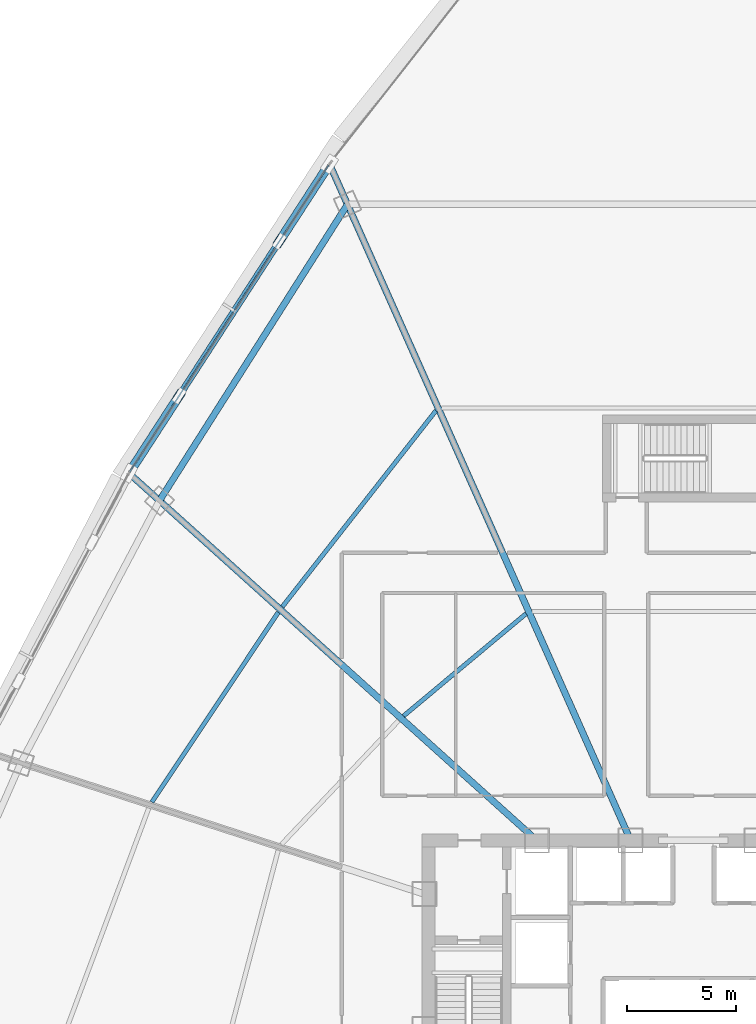
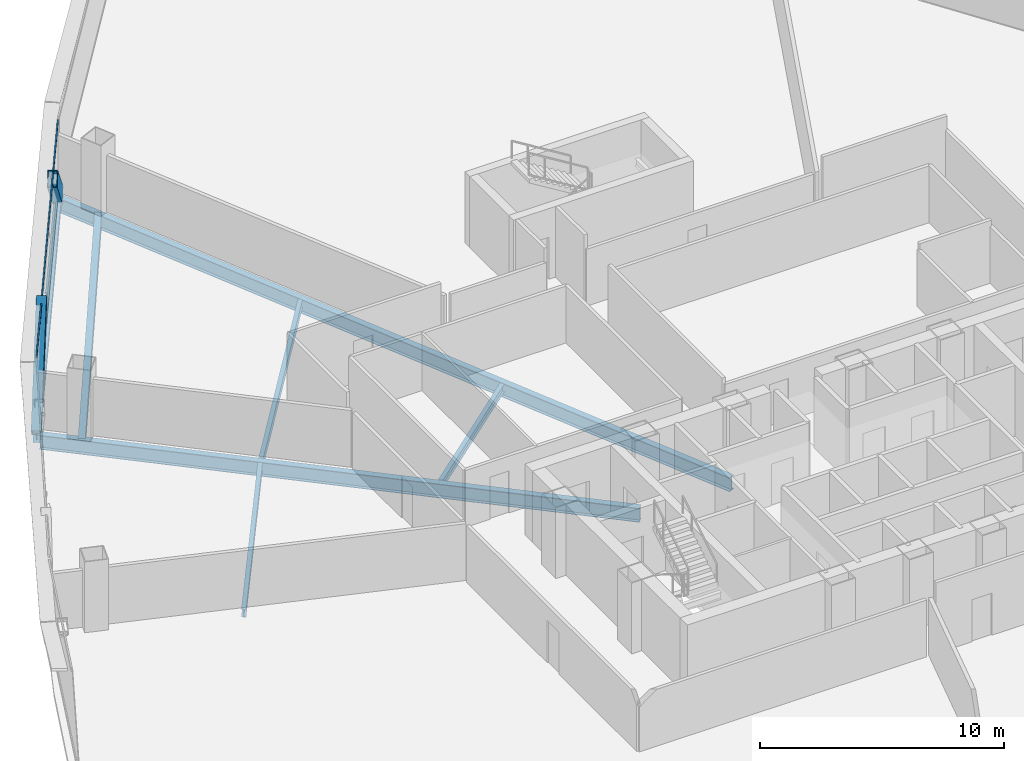
# One storey, part 15 of 39: 7 beams, 4 members, 1 element without a shape of its own.
"""IFC4 building model written with IfcOpenShell, lengths in metres."""

from ifc_helpers import new_model, si_unit, direction, frame, origin, origin_2d, place, context, subcontext, project, spatial, hollow_rectangle, i_section, extrude, source, transform, mapped, material, layer, layer_set, material_profile, profile_set, type_object, element, aggregate, save


model = new_model("IFC4")

# Units and contexts
model_context = context("Model", 3, precision=1e-05, world=origin(), true_north=direction((0.0, 1.0)))
body_context = subcontext(model_context, "Body", "Model", "MODEL_VIEW")
ifc_project = project(units=[si_unit("LENGTHUNIT", "METRE"), si_unit("AREAUNIT", "SQUARE_METRE"), si_unit("VOLUMEUNIT", "CUBIC_METRE"), si_unit("PLANEANGLEUNIT", "RADIAN"), si_unit("MASSUNIT", "GRAM", prefix="KILO"), si_unit("THERMODYNAMICTEMPERATUREUNIT", "KELVIN"), si_unit("POWERUNIT", "WATT")], contexts=[model_context])

# Site, building, storey
site_placement = place(None, origin())
site = spatial("IfcSite", under=ifc_project, at=site_placement, CompositionType="ELEMENT")
building_placement = place(site_placement, origin())
building = spatial("IfcBuilding", under=site, at=building_placement, Name="Yunzhuo Pagoda Commons", CompositionType="ELEMENT")
storey_placement = place(building_placement, frame((0.0, 0.0, 96.3798828125)))
storey = spatial("IfcBuildingStorey", under=building, at=storey_placement, Name="L24", CompositionType="ELEMENT", Elevation=96.3798828125)

# Beams
ifc_material_1 = material(Name="Structural steel Q355B", Category="steel")
ifc_material_profile_1 = material_profile(ifc_material_1, i_section(OverallWidth=0.300048828125, OverallDepth=0.699951171875, WebThickness=0.012939453125, FlangeThickness=0.02392578125, at=origin_2d()), Name="Structural steel Q355B")
ifc_profile_set_1 = profile_set([ifc_material_profile_1], Name="Structural steel Q355B")
beam_type_1 = type_object("IfcBeamType", Name="B-RG1 Beam HN 700x300x13x24", PredefinedType="BEAM", material=ifc_profile_set_1)
shared_shape_1 = source(origin(), body_context, "Body", "SweptSolid", [
    extrude(i_section(OverallWidth=0.300048828125, OverallDepth=0.699951171875, WebThickness=0.012939453125, FlangeThickness=0.02392578125, at=origin_2d()), origin(), (0.0, 0.0, 1.0), 16.16845703125),
])
beam_1_placement = place(storey_placement, frame((32.05859375, 69.505126953125, -0.609619140625), z_axis=(-0.535695673154, -0.844411123662, 0.0), x_axis=(0.844411123662, -0.535695673154, 0.0)))
element("IfcBeam", 1, at=beam_1_placement, inside=storey, type_object=beam_type_1, Name="L24 column-ring beam 9", PredefinedType="BEAM", context=body_context, shape_type="MappedRepresentation", body=[
    mapped(shared_shape_1, transform((0.0, 0.0, 0.0), scale=1.0)),
])
ifc_material_profile_2 = material_profile(ifc_material_1, i_section(OverallWidth=0.199951171875, OverallDepth=0.39990234375, WebThickness=0.008056640625, FlangeThickness=0.012939453125, at=origin_2d()), Name="Structural steel Q355B")
ifc_profile_set_2 = profile_set([ifc_material_profile_2], Name="Structural steel Q355B")
beam_type_2 = type_object("IfcBeamType", Name="B-JS1 Joist HN 400x200x8x13", PredefinedType="JOIST", material=ifc_profile_set_2)
shared_shape_2 = source(origin(), body_context, "Body", "SweptSolid", [
    extrude(i_section(OverallWidth=0.199951171875, OverallDepth=0.39990234375, WebThickness=0.008056640625, FlangeThickness=0.012939453125, at=origin_2d()), origin(), (0.0, 0.0, 1.0), 10.50537109375),
])
beam_2_placement = place(storey_placement, frame((28.871826171875, 50.711181640625, -0.4599609375), z_axis=(-0.554523204193, -0.832168261839, 0.0), x_axis=(0.832168261839, -0.554523204193, 0.0)))
element("IfcBeam", 2, at=beam_2_placement, inside=storey, type_object=beam_type_2, Name="L24 composite ring joist 2.10", PredefinedType="JOIST", context=body_context, shape_type="MappedRepresentation", body=[
    mapped(shared_shape_2, transform((0.0, 0.0, 0.0), scale=1.0)),
])
shared_shape_3 = source(origin(), body_context, "Body", "SweptSolid", [
    extrude(i_section(OverallWidth=0.199951171875, OverallDepth=0.39990234375, WebThickness=0.008056640625, FlangeThickness=0.012939453125, at=origin_2d()), origin(), (0.0, 0.0, 1.0), 7.35009765625),
])
beam_3_placement = place(storey_placement, frame((40.286865234375, 50.64794921875, -0.4599609375), z_axis=(-0.767561992249, -0.640974717173, 0.0), x_axis=(0.640974717173, -0.767561992249, 0.0)))
element("IfcBeam", 3, at=beam_3_placement, inside=storey, type_object=beam_type_2, Name="L24 composite ring joist 1.9", PredefinedType="JOIST", context=body_context, shape_type="MappedRepresentation", body=[
    mapped(shared_shape_3, transform((0.0, 0.0, 0.0), scale=1.0)),
])
shared_shape_4 = source(origin(), body_context, "Body", "SweptSolid", [
    extrude(i_section(OverallWidth=0.199951171875, OverallDepth=0.39990234375, WebThickness=0.008056640625, FlangeThickness=0.012939453125, at=origin_2d()), origin(), (0.0, 0.0, 1.0), 11.4755859375),
])
beam_4_placement = place(storey_placement, frame((36.135498046875, 60.002197265625, -0.4599609375), z_axis=(-0.616713174055, -0.787187945123, 0.0), x_axis=(0.787187945123, -0.616713174055, 0.0)))
element("IfcBeam", 4, at=beam_4_placement, inside=storey, type_object=beam_type_2, Name="L24 composite ring joist 2.9", PredefinedType="JOIST", context=body_context, shape_type="MappedRepresentation", body=[
    mapped(shared_shape_4, transform((0.0, 0.0, 0.0), scale=1.0)),
])
shared_shape_5 = source(origin(), body_context, "Body", "SweptSolid", [
    extrude(i_section(OverallWidth=0.300048828125, OverallDepth=0.699951171875, WebThickness=0.012939453125, FlangeThickness=0.02392578125, at=origin_2d()), origin(), (0.0, 0.0, 1.0), 25.1318359375),
])
beam_5_placement = place(storey_placement, frame((22.1044921875, 57.016357421875, -0.609619140625), z_axis=(0.743144868879, -0.669130558156, 0.0), x_axis=(0.669130558156, 0.743144868879, 0.0)))
element("IfcBeam", 5, at=beam_5_placement, inside=storey, type_object=beam_type_1, Name="L24 radial floor girder F3C2", PredefinedType="BEAM", context=body_context, shape_type="MappedRepresentation", body=[
    mapped(shared_shape_5, transform((0.0, 0.0, 0.0), scale=1.0)),
])
shared_shape_6 = source(origin(), body_context, "Body", "SweptSolid", [
    extrude(i_section(OverallWidth=0.300048828125, OverallDepth=0.699951171875, WebThickness=0.012939453125, FlangeThickness=0.02392578125, at=origin_2d()), origin(), (0.0, 0.0, 1.0), 33.961181640625),
])
beam_6_placement = place(storey_placement, frame((31.292724609375, 71.22509765625, -0.609619140625), z_axis=(0.406735346576, -0.91354603488, 0.0), x_axis=(0.91354603488, 0.406735346576, 0.0)))
element("IfcBeam", 6, at=beam_6_placement, inside=storey, type_object=beam_type_1, Name="L24 radial floor girder F3C1", PredefinedType="BEAM", context=body_context, shape_type="MappedRepresentation", body=[
    mapped(shared_shape_6, transform((0.0, 0.0, 0.0), scale=1.0)),
])
ifc_material_profile_3 = material_profile(ifc_material_1, i_section(OverallWidth=0.300048828125, OverallDepth=0.488037109375, WebThickness=0.010986328125, FlangeThickness=0.01806640625, at=origin_2d()), Name="Structural steel Q355B")
ifc_profile_set_3 = profile_set([ifc_material_profile_3], Name="Structural steel Q355B")
beam_type_3 = type_object("IfcBeamType", Name="B-SP1 Beam HM 488x300x11x18", PredefinedType="BEAM", material=ifc_profile_set_3)
shared_shape_7 = source(origin(), body_context, "Body", "SweptSolid", [
    extrude(i_section(OverallWidth=0.300048828125, OverallDepth=0.488037109375, WebThickness=0.010986328125, FlangeThickness=0.01806640625, at=origin_2d()), origin(), (0.0, 0.0, 1.0), 16.980712890625),
])
beam_7_placement = place(storey_placement, frame((31.229736328125, 71.366455078125, -0.50390625), z_axis=(-0.544174968166, -0.838971754007, 0.0), x_axis=(0.838971754007, -0.544174968166, 0.0)))
element("IfcBeam", 7, at=beam_7_placement, inside=storey, type_object=beam_type_3, Name="L24 facade edge spandrel beam F3.1", PredefinedType="BEAM", context=body_context, shape_type="MappedRepresentation", body=[
    mapped(shared_shape_7, transform((0.0, 0.0, 0.0), scale=1.0)),
])

# Members
ifc_material_2 = material(Name="Structural steel Q420B", Category="steel")
ifc_material_profile_4 = material_profile(ifc_material_2, hollow_rectangle(XDim=0.419921875, YDim=0.719970703125, WallThickness=0.028076171875, at=origin_2d()), Name="Structural steel Q420B")
ifc_profile_set_4 = profile_set([ifc_material_profile_4], Name="Structural steel Q420B")
member_type_1 = type_object("IfcMemberType", Name="M-DL1 Brace BOX 720x420x28", PredefinedType="BRACE", material=ifc_profile_set_4)
shared_shape_8 = source(origin(), body_context, "Body", "SweptSolid", [
    extrude(hollow_rectangle(XDim=0.419921875, YDim=0.719970703125, WallThickness=0.028076171875, at=origin_2d()), origin(), (0.0, 0.0, 1.0), 5.697265625),
])
for number, where, z_axis, x_axis, name in (
    (8, (31.229736328125, 71.366455078125, -0.259765625), (-0.405464823843, -0.625123742361, 0.666947211826), (0.838974060503, -0.544171412152, 0.0), "L24 facade diamond brace F3.1L"),
    (9, (21.9892578125, 57.1201171875, -0.259765625), (0.405464823843, 0.625123742361, 0.666947211826), (-0.838974060503, 0.544171412152, 0.0), "L24 facade diamond brace F3.1R"),
):
    element("IfcMember", number, at=place(storey_placement, frame(where, z_axis=z_axis, x_axis=x_axis)), inside=storey, type_object=member_type_1, Name=name, PredefinedType="BRACE", context=body_context, shape_type="MappedRepresentation", body=[
        mapped(shared_shape_8, transform((0.0, 0.0, 0.0), scale=1.0)),
    ])

# Curtain wall, members
ifc_material_3 = material(Name="Anodized aluminium 6063-T6", Category="aluminium")
ifc_layer = layer(ifc_material_3, 0.1650390625)
ifc_layer_set = layer_set([ifc_layer], Name="Anodized aluminium 6063-T6")
curtain_wall_type = type_object("IfcCurtainWallType", Name="CW-LOW Low-Zone Ribbon Curtain Wall", PredefinedType="NOTDEFINED", material=ifc_layer_set)
curtain_wall_placement = place(storey_placement, origin())
curtain_wall = element("IfcCurtainWall", 10, at=curtain_wall_placement, inside=storey, type_object=curtain_wall_type, Name="L24 curtain wall CW-L24-F3B2", PredefinedType="NOTDEFINED")
ifc_material_profile_5 = material_profile(ifc_material_3, hollow_rectangle(XDim=0.06005859375, YDim=0.139892578125, WallThickness=0.00341796875, at=origin_2d()), Name="Anodized aluminium 6063-T6")
ifc_profile_set_5 = profile_set([ifc_material_profile_5], Name="Anodized aluminium 6063-T6")
member_type_2 = type_object("IfcMemberType", Name="CW-LOW-T Transom RHS 140x60x3.5", PredefinedType="USERDEFINED", material=ifc_profile_set_5)
shared_shape_9 = source(origin(), body_context, "Body", "SweptSolid", [
    extrude(hollow_rectangle(XDim=0.06005859375, YDim=0.139892578125, WallThickness=0.00341796875, at=origin_2d()), origin(), (0.0, 0.0, 1.0), 16.8505859375),
])
member_1_placement = place(storey_placement, frame((31.1943359375, 71.31201171875, 0.030029296875), z_axis=(-0.544174292348, -0.838972192356, 0.0), x_axis=(0.838972192356, -0.544174292348, 0.0)))
member_1 = element("IfcMember", 11, at=member_1_placement, type_object=member_type_2, Name="CW transom 1.1", ObjectType="TRANSOM", PredefinedType="USERDEFINED", context=body_context, shape_type="MappedRepresentation", body=[
    mapped(shared_shape_9, transform((0.0, 0.0, 0.0), scale=1.0)),
])
member_2_placement = place(storey_placement, frame((31.1943359375, 71.31201171875, 3.510009765625), z_axis=(-0.544174292348, -0.838972192356, 0.0), x_axis=(0.838972192356, -0.544174292348, 0.0)))
member_2 = element("IfcMember", 12, at=member_2_placement, type_object=member_type_2, Name="CW transom 1.2", ObjectType="TRANSOM", PredefinedType="USERDEFINED", context=body_context, shape_type="MappedRepresentation", body=[
    mapped(shared_shape_9, transform((0.0, 0.0, 0.0), scale=1.0)),
])
aggregate(curtain_wall, [member_1, member_2])

save(model, "model.ifc")
